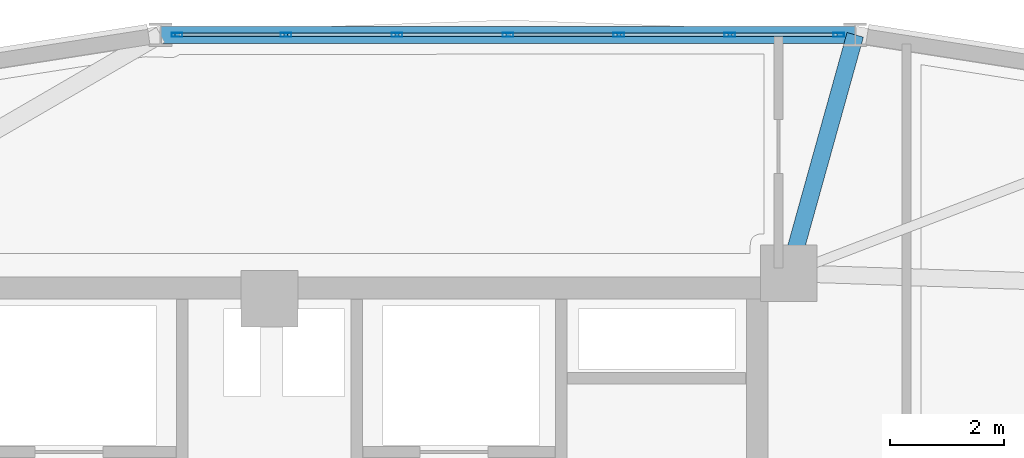
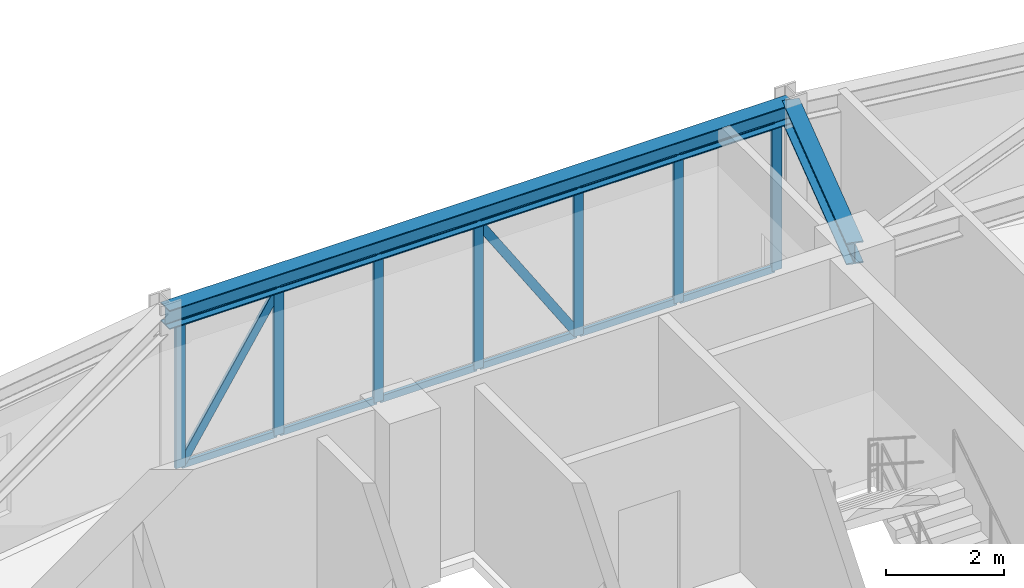
# One storey, part 9 of 16: 21 members, 2 beams, 1 element without a shape of its own.
"""IFC4 building model written with IfcOpenShell, lengths in metres."""

from ifc_helpers import new_model, si_unit, derived_unit, direction, frame, origin, origin_2d, place, context, subcontext, project, spatial, hollow_rectangle, i_section, extrude, source, transform, mapped, material, layer, layer_set, material_profile, profile_set, type_object, element, aggregate, save


model = new_model("IFC4")

# Units and contexts
model_context = context("Model", 3, precision=1e-05, world=origin(), true_north=direction((0.0, 1.0)))
body_context = subcontext(model_context, "Body", "Model", "MODEL_VIEW")
ifc_project = project(units=[si_unit("LENGTHUNIT", "METRE"), si_unit("AREAUNIT", "SQUARE_METRE"), si_unit("VOLUMEUNIT", "CUBIC_METRE"), si_unit("PLANEANGLEUNIT", "RADIAN"), si_unit("MASSUNIT", "GRAM", prefix="KILO"), derived_unit("THERMALTRANSMITTANCEUNIT", [(si_unit("POWERUNIT", "WATT"), 1), (si_unit("LENGTHUNIT", "METRE"), -2), (si_unit("THERMODYNAMICTEMPERATUREUNIT", "KELVIN"), -1)])], contexts=[model_context])

# Site, building, storey
site_placement = place(None, origin())
site = spatial("IfcSite", under=ifc_project, at=site_placement, CompositionType="ELEMENT")
building_placement = place(site_placement, origin())
building = spatial("IfcBuilding", under=site, at=building_placement, Name="Korsvarv Bourse and Concert Hall", CompositionType="ELEMENT")
storey_placement = place(building_placement, frame((0.0, 0.0, 216.60009765625)))
storey = spatial("IfcBuildingStorey", under=building, at=storey_placement, Name="L56", CompositionType="ELEMENT", Elevation=216.60009765625)

# Beams
ifc_material_1 = material(Name="Steel S355", Category="steel")
ifc_material_profile_1 = material_profile(ifc_material_1, i_section(OverallWidth=0.300048828125, OverallDepth=0.389892578125, WebThickness=0.010986328125, FlangeThickness=0.01904296875, FilletRadius=0.02099609375, at=origin_2d()), Name="HEA 400")
ifc_profile_set_1 = profile_set([ifc_material_profile_1], Name="Steel S355")
beam_type_1 = type_object("IfcBeamType", Name="BM-HEA400", PredefinedType="BEAM", material=ifc_profile_set_1)
shared_shape_1 = source(origin(), body_context, "Body", "SweptSolid", [
    extrude(i_section(OverallWidth=0.300048828125, OverallDepth=0.389892578125, WebThickness=0.010986328125, FlangeThickness=0.01904296875, FilletRadius=0.02099609375, at=origin_2d()), origin(), (0.0, 0.0, 1.0), 12.238037109375),
])
beam_1_placement = place(storey_placement, frame((46.319091796875, 51.449951171875, 3.21484375), z_axis=(-1.0, 0.0, 0.0), x_axis=(0.0, -1.0, 0.0)))
element("IfcBeam", 1, at=beam_1_placement, inside=storey, type_object=beam_type_1, Name="L56 beam B-11", PredefinedType="BEAM", context=body_context, shape_type="MappedRepresentation", body=[
    mapped(shared_shape_1, transform((0.0, 0.0, 0.0), scale=1.0)),
])
ifc_material_profile_2 = material_profile(ifc_material_1, i_section(OverallWidth=0.300048828125, OverallDepth=0.449951171875, WebThickness=0.013916015625, FlangeThickness=0.02587890625, FilletRadius=0.02099609375, at=origin_2d()), Name="HEB 450")
ifc_profile_set_2 = profile_set([ifc_material_profile_2], Name="Steel S355")
beam_type_2 = type_object("IfcBeamType", Name="BM-HEB450", PredefinedType="SPANDREL", material=ifc_profile_set_2)
shared_shape_2 = source(origin(), body_context, "Body", "SweptSolid", [
    extrude(i_section(OverallWidth=0.300048828125, OverallDepth=0.449951171875, WebThickness=0.013916015625, FlangeThickness=0.02587890625, FilletRadius=0.02099609375, at=origin_2d()), origin(), (0.0, 0.0, 1.0), 4.359619140625),
])
beam_2_placement = place(storey_placement, frame((46.319091796875, 51.449951171875, 3.184814453125), z_axis=(-0.268183924737, -0.963367729641, 0.0), x_axis=(0.963367729641, -0.268183924737, 0.0)))
element("IfcBeam", 2, at=beam_2_placement, inside=storey, type_object=beam_type_2, Name="L56 beam B-08", PredefinedType="SPANDREL", context=body_context, shape_type="MappedRepresentation", body=[
    mapped(shared_shape_2, transform((0.0, 0.0, 0.0), scale=1.0)),
])

# Curtain wall, members
ifc_material_2 = material(Name="Anodised aluminium and triple low-E glazing", Category="glass")
ifc_layer = layer(ifc_material_2, 0.199951171875)
ifc_layer_set = layer_set([ifc_layer], Name="Anodised aluminium and triple low-E glazing")
curtain_wall_type = type_object("IfcCurtainWallType", Name="CW-SYS-3", PredefinedType="NOTDEFINED", material=ifc_layer_set)
curtain_wall_placement = place(storey_placement, origin())
curtain_wall = element("IfcCurtainWall", 3, at=curtain_wall_placement, inside=storey, type_object=curtain_wall_type, Name="L56 CW3 curtain wall CW-L56-F03", PredefinedType="NOTDEFINED")
ifc_material_3 = material(Name="Extruded aluminium EN AW-6063 T66", Category="aluminium")
ifc_material_profile_3 = material_profile(ifc_material_3, hollow_rectangle(XDim=0.06494140625, YDim=0.1650390625, WallThickness=0.0048828125, at=origin_2d()), Name="ALU-M 65x165")
ifc_profile_set_3 = profile_set([ifc_material_profile_3], Name="Extruded aluminium EN AW-6063 T66")
member_type_1 = type_object("IfcMemberType", Name="CWM-165", PredefinedType="MULLION", material=ifc_profile_set_3)
shared_shape_3 = source(origin(), body_context, "Body", "SweptSolid", [
    extrude(hollow_rectangle(XDim=0.06494140625, YDim=0.1650390625, WallThickness=0.0048828125, at=origin_2d()), origin(), (0.0, 0.0, 1.0), 3.431396484375),
])
member_1_placement = place(storey_placement, frame((34.404052734375, 51.449951171875, 0.06494140625), z_axis=(0.539221256149, 0.0, 0.842164138941), x_axis=(0.0, 1.0, 0.0)))
member_1 = element("IfcMember", 4, at=member_1_placement, type_object=member_type_1, Name="CW3 diagonal mullion 6", PredefinedType="MULLION", context=body_context, shape_type="MappedRepresentation", body=[
    mapped(shared_shape_3, transform((0.0, 0.0, 0.0), scale=1.0)),
])
ifc_material_profile_4 = material_profile(ifc_material_3, hollow_rectangle(XDim=0.070068359375, YDim=0.18994140625, WallThickness=0.0048828125, at=origin_2d()), Name="ALU-M 70x190")
ifc_profile_set_4 = profile_set([ifc_material_profile_4], Name="Extruded aluminium EN AW-6063 T66")
member_type_2 = type_object("IfcMemberType", Name="CWM-190", PredefinedType="MULLION", material=ifc_profile_set_4)
shared_shape_4 = source(origin(), body_context, "Body", "SweptSolid", [
    extrude(hollow_rectangle(XDim=0.070068359375, YDim=0.18994140625, WallThickness=0.0048828125, at=origin_2d()), origin(), (0.0, 0.0, 1.0), 3.02001953125),
])
member_2_placement = place(storey_placement, frame((46.031005859375, 51.449951171875, 0.0), z_axis=(0.0, 0.0, 1.0), x_axis=(0.0, -1.0, 0.0)))
member_2 = element("IfcMember", 5, at=member_2_placement, type_object=member_type_2, Name="CW3 mullion 1", PredefinedType="MULLION", context=body_context, shape_type="MappedRepresentation", body=[
    mapped(shared_shape_4, transform((0.0, 0.0, 0.0), scale=1.0)),
])
member_3_placement = place(storey_placement, frame((44.110595703125, 51.449951171875, 0.0), z_axis=(0.0, 0.0, 1.0), x_axis=(0.0, -1.0, 0.0)))
member_3 = element("IfcMember", 6, at=member_3_placement, type_object=member_type_2, Name="CW3 mullion 2", PredefinedType="MULLION", context=body_context, shape_type="MappedRepresentation", body=[
    mapped(shared_shape_4, transform((0.0, 0.0, 0.0), scale=1.0)),
])
member_4_placement = place(storey_placement, frame((42.1552734375, 51.449951171875, 0.0), z_axis=(0.0, 0.0, 1.0), x_axis=(0.0, -1.0, 0.0)))
member_4 = element("IfcMember", 7, at=member_4_placement, type_object=member_type_2, Name="CW3 mullion 3", PredefinedType="MULLION", context=body_context, shape_type="MappedRepresentation", body=[
    mapped(shared_shape_4, transform((0.0, 0.0, 0.0), scale=1.0)),
])
member_5_placement = place(storey_placement, frame((40.199951171875, 51.449951171875, 0.0), z_axis=(0.0, 0.0, 1.0), x_axis=(0.0, -1.0, 0.0)))
member_5 = element("IfcMember", 8, at=member_5_placement, type_object=member_type_2, Name="CW3 mullion 4", PredefinedType="MULLION", context=body_context, shape_type="MappedRepresentation", body=[
    mapped(shared_shape_4, transform((0.0, 0.0, 0.0), scale=1.0)),
])
member_6_placement = place(storey_placement, frame((38.24462890625, 51.449951171875, 0.0), z_axis=(0.0, 0.0, 1.0), x_axis=(0.0, -1.0, 0.0)))
member_6 = element("IfcMember", 9, at=member_6_placement, type_object=member_type_2, Name="CW3 mullion 5", PredefinedType="MULLION", context=body_context, shape_type="MappedRepresentation", body=[
    mapped(shared_shape_4, transform((0.0, 0.0, 0.0), scale=1.0)),
])
member_7_placement = place(storey_placement, frame((36.289306640625, 51.449951171875, 0.0), z_axis=(0.0, 0.0, 1.0), x_axis=(0.0, -1.0, 0.0)))
member_7 = element("IfcMember", 10, at=member_7_placement, type_object=member_type_2, Name="CW3 mullion 6", PredefinedType="MULLION", context=body_context, shape_type="MappedRepresentation", body=[
    mapped(shared_shape_4, transform((0.0, 0.0, 0.0), scale=1.0)),
])
member_8_placement = place(storey_placement, frame((34.368896484375, 51.449951171875, 0.0), z_axis=(0.0, 0.0, 1.0), x_axis=(0.0, -1.0, 0.0)))
member_8 = element("IfcMember", 11, at=member_8_placement, type_object=member_type_2, Name="CW3 mullion 7", PredefinedType="MULLION", context=body_context, shape_type="MappedRepresentation", body=[
    mapped(shared_shape_4, transform((0.0, 0.0, 0.0), scale=1.0)),
])
ifc_material_profile_5 = material_profile(ifc_material_3, hollow_rectangle(XDim=0.06494140625, YDim=0.139892578125, WallThickness=0.00390625, at=origin_2d()), Name="ALU-T 65x140")
ifc_profile_set_5 = profile_set([ifc_material_profile_5], Name="Extruded aluminium EN AW-6063 T66")
member_type_3 = type_object("IfcMemberType", Name="CWT-140", PredefinedType="USERDEFINED", material=ifc_profile_set_5)
shared_shape_5 = source(origin(), body_context, "Body", "SweptSolid", [
    extrude(hollow_rectangle(XDim=0.06494140625, YDim=0.139892578125, WallThickness=0.00390625, at=origin_2d()), origin(), (0.0, 0.0, 1.0), 1.850341796875),
])
member_9_placement = place(storey_placement, frame((45.99609375, 51.449951171875, 0.032470703125), z_axis=(-1.0, 0.0, 0.0), x_axis=(0.0, -1.0, 0.0)))
member_9 = element("IfcMember", 12, at=member_9_placement, type_object=member_type_3, Name="CW3 transom 1.1", ObjectType="TRANSOM", PredefinedType="USERDEFINED", context=body_context, shape_type="MappedRepresentation", body=[
    mapped(shared_shape_5, transform((0.0, 0.0, 0.0), scale=1.0)),
])
member_10_placement = place(storey_placement, frame((45.99609375, 51.449951171875, 2.9873046875), z_axis=(-1.0, 0.0, 0.0), x_axis=(0.0, -1.0, 0.0)))
member_10 = element("IfcMember", 13, at=member_10_placement, type_object=member_type_3, Name="CW3 transom 1.2", ObjectType="TRANSOM", PredefinedType="USERDEFINED", context=body_context, shape_type="MappedRepresentation", body=[
    mapped(shared_shape_5, transform((0.0, 0.0, 0.0), scale=1.0)),
])
member_11_placement = place(storey_placement, frame((36.25439453125, 51.449951171875, 0.032470703125), z_axis=(-1.0, 0.0, 0.0), x_axis=(0.0, -1.0, 0.0)))
member_11 = element("IfcMember", 14, at=member_11_placement, type_object=member_type_3, Name="CW3 transom 6.1", ObjectType="TRANSOM", PredefinedType="USERDEFINED", context=body_context, shape_type="MappedRepresentation", body=[
    mapped(shared_shape_5, transform((0.0, 0.0, 0.0), scale=1.0)),
])
member_12_placement = place(storey_placement, frame((36.25439453125, 51.449951171875, 2.9873046875), z_axis=(-1.0, 0.0, 0.0), x_axis=(0.0, -1.0, 0.0)))
member_12 = element("IfcMember", 15, at=member_12_placement, type_object=member_type_3, Name="CW3 transom 6.2", ObjectType="TRANSOM", PredefinedType="USERDEFINED", context=body_context, shape_type="MappedRepresentation", body=[
    mapped(shared_shape_5, transform((0.0, 0.0, 0.0), scale=1.0)),
])
shared_shape_6 = source(origin(), body_context, "Body", "SweptSolid", [
    extrude(hollow_rectangle(XDim=0.06494140625, YDim=0.139892578125, WallThickness=0.00390625, at=origin_2d()), origin(), (0.0, 0.0, 1.0), 1.88525390625),
])
member_13_placement = place(storey_placement, frame((44.07568359375, 51.449951171875, 0.032470703125), z_axis=(-1.0, 0.0, 0.0), x_axis=(0.0, -1.0, 0.0)))
member_13 = element("IfcMember", 16, at=member_13_placement, type_object=member_type_3, Name="CW3 transom 2.1", ObjectType="TRANSOM", PredefinedType="USERDEFINED", context=body_context, shape_type="MappedRepresentation", body=[
    mapped(shared_shape_6, transform((0.0, 0.0, 0.0), scale=1.0)),
])
member_14_placement = place(storey_placement, frame((44.07568359375, 51.449951171875, 2.9873046875), z_axis=(-1.0, 0.0, 0.0), x_axis=(0.0, -1.0, 0.0)))
member_14 = element("IfcMember", 17, at=member_14_placement, type_object=member_type_3, Name="CW3 transom 2.2", ObjectType="TRANSOM", PredefinedType="USERDEFINED", context=body_context, shape_type="MappedRepresentation", body=[
    mapped(shared_shape_6, transform((0.0, 0.0, 0.0), scale=1.0)),
])
member_15_placement = place(storey_placement, frame((42.120361328125, 51.449951171875, 0.032470703125), z_axis=(-1.0, 0.0, 0.0), x_axis=(0.0, -1.0, 0.0)))
member_15 = element("IfcMember", 18, at=member_15_placement, type_object=member_type_3, Name="CW3 transom 3.1", ObjectType="TRANSOM", PredefinedType="USERDEFINED", context=body_context, shape_type="MappedRepresentation", body=[
    mapped(shared_shape_6, transform((0.0, 0.0, 0.0), scale=1.0)),
])
member_16_placement = place(storey_placement, frame((42.120361328125, 51.449951171875, 2.9873046875), z_axis=(-1.0, 0.0, 0.0), x_axis=(0.0, -1.0, 0.0)))
member_16 = element("IfcMember", 19, at=member_16_placement, type_object=member_type_3, Name="CW3 transom 3.2", ObjectType="TRANSOM", PredefinedType="USERDEFINED", context=body_context, shape_type="MappedRepresentation", body=[
    mapped(shared_shape_6, transform((0.0, 0.0, 0.0), scale=1.0)),
])
member_17_placement = place(storey_placement, frame((40.1650390625, 51.449951171875, 0.032470703125), z_axis=(-1.0, 0.0, 0.0), x_axis=(0.0, -1.0, 0.0)))
member_17 = element("IfcMember", 20, at=member_17_placement, type_object=member_type_3, Name="CW3 transom 4.1", ObjectType="TRANSOM", PredefinedType="USERDEFINED", context=body_context, shape_type="MappedRepresentation", body=[
    mapped(shared_shape_6, transform((0.0, 0.0, 0.0), scale=1.0)),
])
member_18_placement = place(storey_placement, frame((40.1650390625, 51.449951171875, 2.9873046875), z_axis=(-1.0, 0.0, 0.0), x_axis=(0.0, -1.0, 0.0)))
member_18 = element("IfcMember", 21, at=member_18_placement, type_object=member_type_3, Name="CW3 transom 4.2", ObjectType="TRANSOM", PredefinedType="USERDEFINED", context=body_context, shape_type="MappedRepresentation", body=[
    mapped(shared_shape_6, transform((0.0, 0.0, 0.0), scale=1.0)),
])
shared_shape_7 = source(origin(), body_context, "Body", "SweptSolid", [
    extrude(hollow_rectangle(XDim=0.06494140625, YDim=0.1650390625, WallThickness=0.0048828125, at=origin_2d()), origin(), (0.0, 0.0, 1.0), 3.450439453125),
])
member_19_placement = place(storey_placement, frame((42.120361328125, 51.449951171875, 0.06494140625), z_axis=(-0.546377851149, 0.0, 0.837538801354), x_axis=(0.0, -1.0, 0.0)))
member_19 = element("IfcMember", 22, at=member_19_placement, type_object=member_type_1, Name="CW3 diagonal mullion 3", PredefinedType="MULLION", context=body_context, shape_type="MappedRepresentation", body=[
    mapped(shared_shape_7, transform((0.0, 0.0, 0.0), scale=1.0)),
])
shared_shape_8 = source(origin(), body_context, "Body", "SweptSolid", [
    extrude(hollow_rectangle(XDim=0.06494140625, YDim=0.139892578125, WallThickness=0.00390625, at=origin_2d()), origin(), (0.0, 0.0, 1.0), 1.885498046875),
])
member_20_placement = place(storey_placement, frame((38.209716796875, 51.449951171875, 0.032470703125), z_axis=(-1.0, 0.0, 0.0), x_axis=(0.0, -1.0, 0.0)))
member_20 = element("IfcMember", 23, at=member_20_placement, type_object=member_type_3, Name="CW3 transom 5.1", ObjectType="TRANSOM", PredefinedType="USERDEFINED", context=body_context, shape_type="MappedRepresentation", body=[
    mapped(shared_shape_8, transform((0.0, 0.0, 0.0), scale=1.0)),
])
member_21_placement = place(storey_placement, frame((38.209716796875, 51.449951171875, 2.9873046875), z_axis=(-1.0, 0.0, 0.0), x_axis=(0.0, -1.0, 0.0)))
member_21 = element("IfcMember", 24, at=member_21_placement, type_object=member_type_3, Name="CW3 transom 5.2", ObjectType="TRANSOM", PredefinedType="USERDEFINED", context=body_context, shape_type="MappedRepresentation", body=[
    mapped(shared_shape_8, transform((0.0, 0.0, 0.0), scale=1.0)),
])
aggregate(curtain_wall, [member_2, member_3, member_4, member_5, member_6, member_7, member_8, member_9, member_10, member_13, member_14, member_15, member_16, member_19, member_17, member_18, member_20, member_21, member_11, member_12, member_1])

save(model, "model.ifc")
